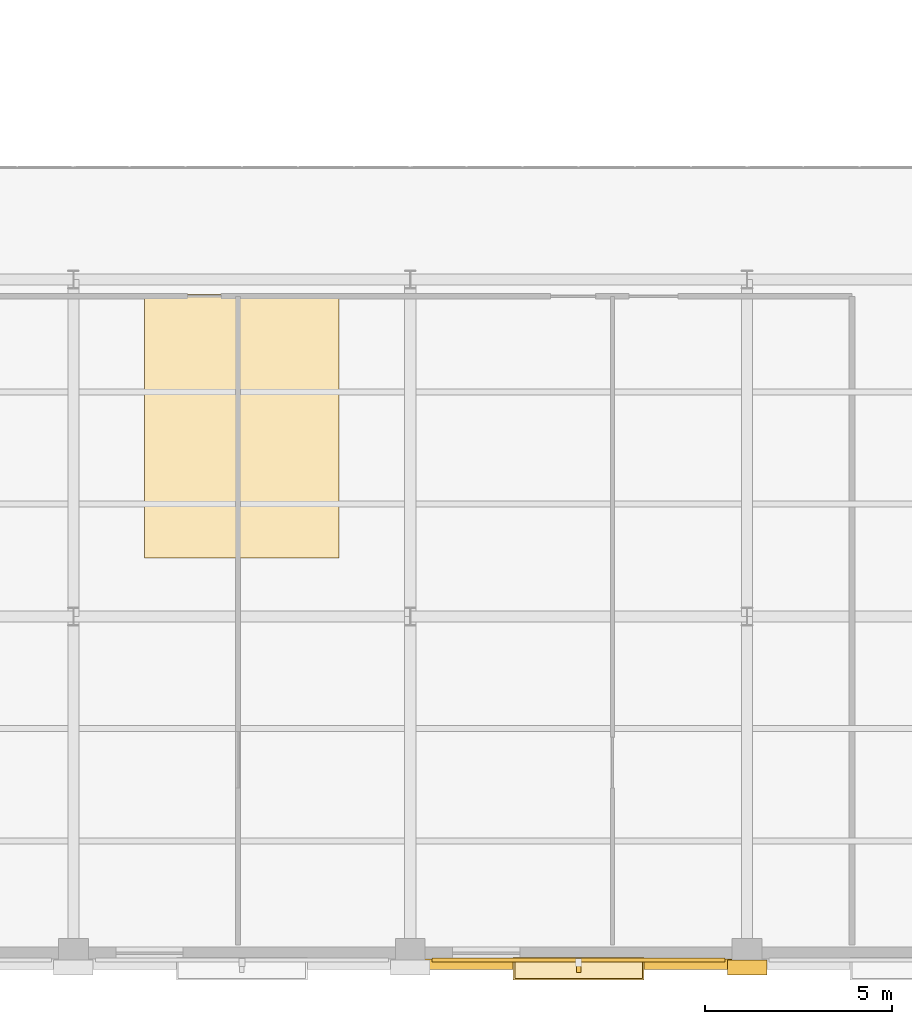
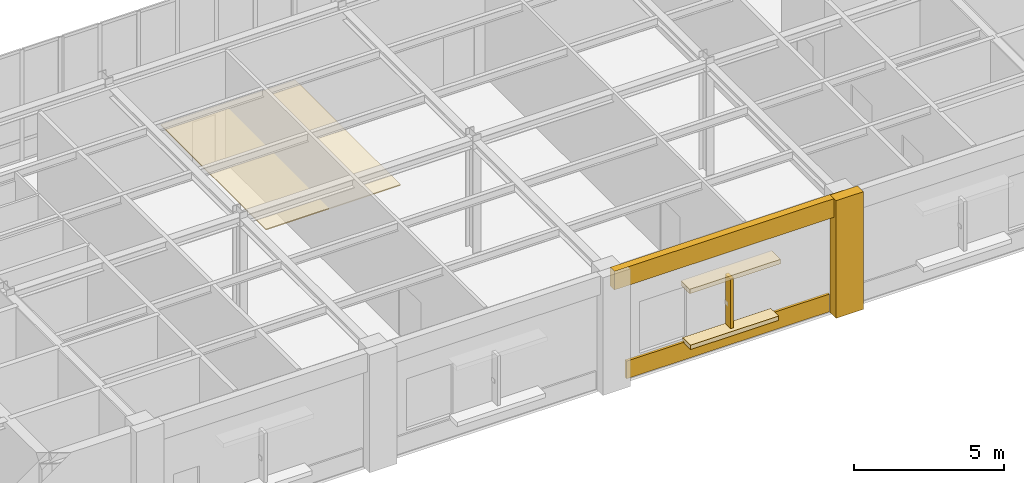
# One storey, part 92 of 98: 6 coverings, 1 shading device.
"""IFC4 building model written with IfcOpenShell, lengths in metres."""

from ifc_helpers import new_model, si_unit, direction, frame, origin, origin_2d, place, context, subcontext, project, spatial, rectangle, extrude, material, layer, layer_set, type_object, element, save


model = new_model("IFC4")

# Units and contexts
model_context = context("Model", 3, precision=1e-05, world=origin(), true_north=direction((0.0, 1.0)))
body_context = subcontext(model_context, "Body", "Model", "MODEL_VIEW")
ifc_project = project(units=[si_unit("LENGTHUNIT", "METRE"), si_unit("AREAUNIT", "SQUARE_METRE"), si_unit("VOLUMEUNIT", "CUBIC_METRE"), si_unit("PLANEANGLEUNIT", "RADIAN"), si_unit("MASSUNIT", "GRAM", prefix="KILO")], contexts=[model_context])

# Site, building, storey
site_placement = place(None, origin())
site = spatial("IfcSite", under=ifc_project, at=site_placement, CompositionType="ELEMENT")
building_placement = place(site_placement, origin())
building = spatial("IfcBuilding", under=site, at=building_placement, Name="Lykobir Media Centre", CompositionType="ELEMENT")
storey_placement = place(building_placement, frame((0.0, 0.0, 10.199951171875)))
storey = spatial("IfcBuildingStorey", under=building, at=storey_placement, Name="L02", CompositionType="ELEMENT", Elevation=10.199951171875)

# Coverings
ifc_material_1 = material(Name="Glazed Turquoise Terracotta", Category="masonry")
ifc_layer_1 = layer(ifc_material_1, 0.0400390625, Name="Glazed Turquoise Terracotta")
ifc_layer_set_1 = layer_set([ifc_layer_1], Name="Glazed Turquoise Terracotta")
covering_type_1 = type_object("IfcCoveringType", Name="CLD-TERR", PredefinedType="CLADDING", material=ifc_layer_set_1)
covering_1_placement = place(storey_placement, frame((58.5, -0.180908203125, 0.080078125), z_axis=(0.0, 0.0, 1.0), x_axis=(1.0, 0.0, 0.0)))
element("IfcCovering", 1, at=covering_1_placement, inside=storey, type_object=covering_type_1, Name="Facade spandrel apron 320", PredefinedType="CLADDING", context=body_context, shape_type="SweptSolid", body=[
    extrude(rectangle(XDim=7.830078125, YDim=0.10009765625, at=origin_2d()), origin(), (0.0, 0.0, 1.0), 0.719970703125),
])
ifc_material_2 = material(Name="Honed Travertine Stone", Category="masonry")
ifc_layer_2 = layer(ifc_material_2, 0.050048828125, Name="Honed Travertine Stone")
ifc_layer_set_2 = layer_set([ifc_layer_2], Name="Honed Travertine Stone")
covering_type_2 = type_object("IfcCoveringType", Name="CLD-TRAV", PredefinedType="CLADDING", material=ifc_layer_set_2)
covering_2_placement = place(storey_placement, frame((63.0, -0.3798828125, 0.0), z_axis=(0.0, 0.0, 1.0), x_axis=(1.0, 0.0, 0.0)))
element("IfcCovering", 2, at=covering_2_placement, inside=storey, type_object=covering_type_2, Name="Travertine column pier 318", PredefinedType="CLADDING", context=body_context, shape_type="SweptSolid", body=[
    extrude(rectangle(XDim=1.06005859375, YDim=0.39990234375, at=origin_2d()), origin(), (0.0, 0.0, 1.0), 4.800048828125),
])
covering_3_placement = place(storey_placement, frame((58.5, -0.300048828125, 4.0400390625), z_axis=(0.0, 0.0, 1.0), x_axis=(1.0, 0.0, 0.0)))
element("IfcCovering", 3, at=covering_3_placement, inside=storey, type_object=covering_type_2, Name="Travertine spandrel stringcourse 319", PredefinedType="CLADDING", context=body_context, shape_type="SweptSolid", body=[
    extrude(rectangle(XDim=9.0, YDim=0.280029296875, at=origin_2d()), origin(), (0.0, 0.0, 1.0), 0.760009765625),
])
covering_4_placement = place(storey_placement, frame((58.5, -0.4150390625, 0.77001953125), z_axis=(0.0, 0.0, 1.0), x_axis=(1.0, 0.0, 0.0)))
element("IfcCovering", 4, at=covering_4_placement, inside=storey, type_object=covering_type_2, Name="Ottoman Cumba sill 321", PredefinedType="CLADDING", context=body_context, shape_type="SweptSolid", body=[
    extrude(rectangle(XDim=3.39990234375, YDim=0.52001953125, at=origin_2d()), origin(), (0.0, 0.0, 1.0), 0.179931640625),
])
covering_5_placement = place(storey_placement, frame((58.5, -0.4150390625, 3.08984375), z_axis=(0.0, 0.0, 1.0), x_axis=(1.0, 0.0, 0.0)))
element("IfcCovering", 5, at=covering_5_placement, inside=storey, type_object=covering_type_2, Name="Ottoman Cumba canopy 322", PredefinedType="CLADDING", context=body_context, shape_type="SweptSolid", body=[
    extrude(rectangle(XDim=3.5, YDim=0.60009765625, at=origin_2d()), origin(), (0.0, 0.0, 1.0), 0.179931640625),
])
ifc_material_3 = material(Name="Acoustic Gypsum Board", Category="gypsum")
ifc_layer_3 = layer(ifc_material_3, 0.0400390625, Name="Acoustic Gypsum Board")
ifc_layer_set_3 = layer_set([ifc_layer_3], Name="Acoustic Gypsum Board")
covering_type_3 = type_object("IfcCoveringType", Name="COV-CEIL", PredefinedType="CEILING", material=ifc_layer_set_3)
covering_6_placement = place(storey_placement, frame((49.5, 14.080078125, 2.300048828125), z_axis=(0.0, 0.0, 1.0), x_axis=(1.0, 0.0, 0.0)))
element("IfcCovering", 6, at=covering_6_placement, inside=storey, type_object=covering_type_3, Name="L02 acoustic suspended ceiling 3", PredefinedType="CEILING", context=body_context, shape_type="SweptSolid", body=[
    extrude(rectangle(XDim=5.199951171875, YDim=7.050048828125, at=origin_2d()), origin(), (0.0, 0.0, 1.0), 0.0400390625),
])

# Shading device
shading_device_type = type_object("IfcShadingDeviceType", Name="SHD-FIN", PredefinedType="USERDEFINED", material=ifc_material_1)
shading_device_placement = place(storey_placement, frame((58.5, -0.3349609375, 0.72509765625), z_axis=(0.0, 0.0, 1.0), x_axis=(1.0, 0.0, 0.0)))
element("IfcShadingDevice", 7, at=shading_device_placement, inside=storey, type_object=shading_device_type, Name="Terracotta shading fin 3", ObjectType="FIN", PredefinedType="USERDEFINED", context=body_context, shape_type="SweptSolid", body=[
    extrude(rectangle(XDim=0.1201171875, YDim=0.35009765625, at=origin_2d()), origin(), (0.0, 0.0, 1.0), 2.25),
])

save(model, "model.ifc")
